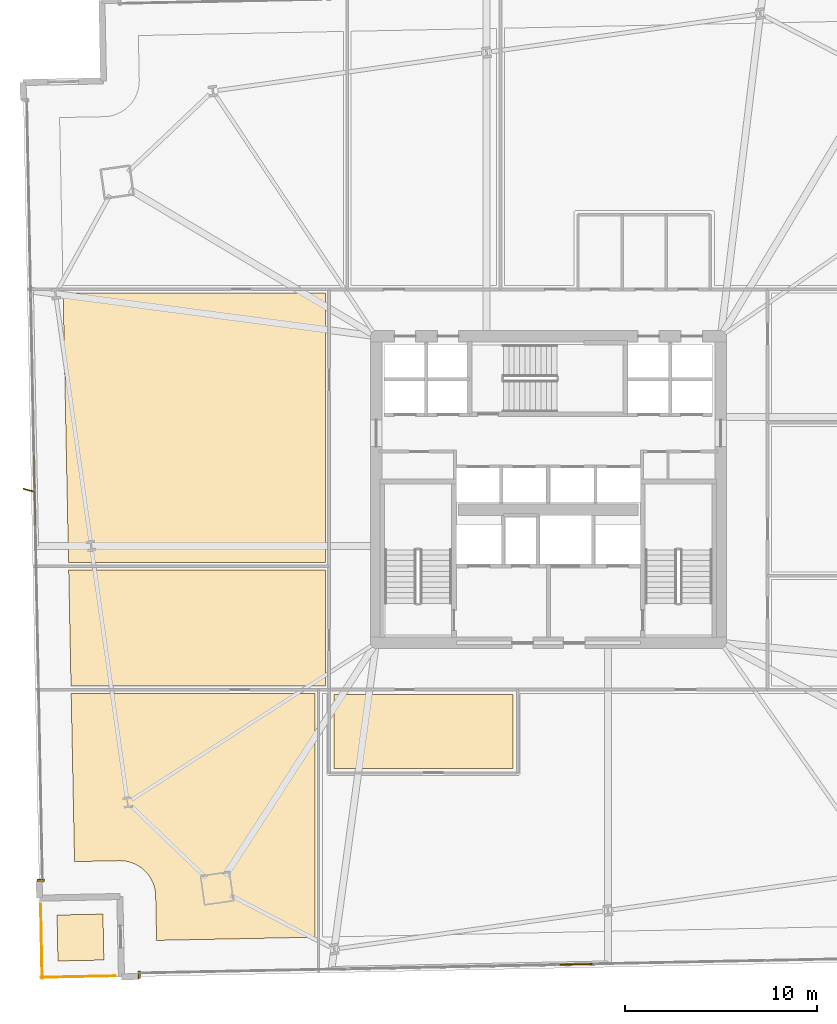
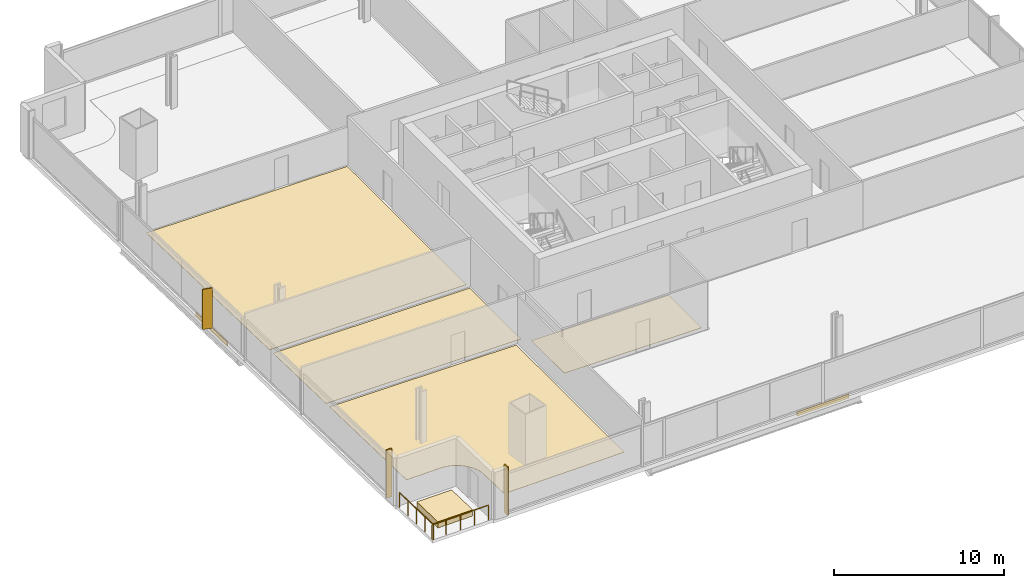
# One storey, part 31 of 35: 9 coverings, 2 railings, 1 shading device.
"""IFC4 building model written with IfcOpenShell, lengths in metres."""

from ifc_helpers import new_model, si_unit, direction, frame, origin, origin_2d, place, context, subcontext, project, spatial, polyline, rectangle, outline, extrude, source, transform, mapped, material, layer, layer_set, type_object, element, save


model = new_model("IFC4")

# Units and contexts
model_context = context("Model", 3, precision=1e-05, world=origin(), true_north=direction((0.0, 1.0)))
body_context = subcontext(model_context, "Body", "Model", "MODEL_VIEW")
ifc_project = project(units=[si_unit("LENGTHUNIT", "METRE"), si_unit("AREAUNIT", "SQUARE_METRE"), si_unit("VOLUMEUNIT", "CUBIC_METRE"), si_unit("PLANEANGLEUNIT", "RADIAN"), si_unit("MASSUNIT", "GRAM", prefix="KILO")], contexts=[model_context])

# Site, building, storey
site_placement = place(None, origin())
site = spatial("IfcSite", under=ifc_project, at=site_placement, CompositionType="ELEMENT")
building_placement = place(site_placement, origin())
building = spatial("IfcBuilding", under=site, at=building_placement, Name="Haldenkirk Collegiate Tower", CompositionType="ELEMENT")
storey_placement = place(building_placement, frame((0.0, 0.0, 32.699951171875)))
storey = spatial("IfcBuildingStorey", under=building, at=storey_placement, Name="L06", CompositionType="ELEMENT", Elevation=32.699951171875)

# Coverings
ifc_material_1 = material(Name="Polished collegiate terrazzo", Category="concrete")
ifc_layer_1 = layer(ifc_material_1, 0.02490234375)
ifc_layer_set_1 = layer_set([ifc_layer_1], Name="Polished collegiate terrazzo")
covering_type_1 = type_object("IfcCoveringType", Name="COV-FLOOR-TERRAZZO", PredefinedType="FLOORING", material=ifc_layer_set_1)
covering_1_placement = place(storey_placement, origin())
element("IfcCovering", 1, at=covering_1_placement, inside=storey, type_object=covering_type_1, Name="L06 academic room finish 02", PredefinedType="FLOORING", context=body_context, shape_type="SweptSolid", body=[
    extrude(outline(polyline([(15.255859375, 5.65576171875), (15.250244140625, 5.666015625), (15.158935546875, 5.8115234375), (15.152099609375, 5.8212890625), (15.047119140625, 5.95703125), (15.03955078125, 5.966064453125), (14.921630859375, 6.0908203125), (14.9130859375, 6.09912109375), (14.78369140625, 6.2119140625), (14.7744140625, 6.21923828125), (14.63427734375, 6.318603515625), (14.62451171875, 6.324951171875), (14.475341796875, 6.410400390625), (14.46484375, 6.415771484375), (14.30810546875, 6.486083984375), (14.29736328125, 6.490234375), (14.134521484375, 6.544921875), (14.123046875, 6.548095703125), (13.955810546875, 6.58642578125), (13.944091796875, 6.58837890625), (13.773681640625, 6.6103515625), (13.761962890625, 6.611328125), (13.59033203125, 6.6162109375), (13.58447265625, 6.6162109375), (11.2548828125, 6.569580078125), (11.07861328125, 15.35009765625), (23.800048828125, 15.35009765625), (23.800048828125, 2.620361328125), (15.538330078125, 2.45458984375), (15.49169921875, 4.7841796875), (15.4912109375, 4.789794921875), (15.4794921875, 4.961181640625), (15.47802734375, 4.97314453125), (15.449462890625, 5.142333984375), (15.447021484375, 5.15380859375), (15.40185546875, 5.319580078125), (15.398193359375, 5.330810546875), (15.337158203125, 5.4912109375), (15.33251953125, 5.501953125), (15.255859375, 5.65576171875)])), origin(), (0.0, 0.0, 1.0), 0.025146484375),
])
covering_2_placement = place(storey_placement, origin())
element("IfcCovering", 2, at=covering_2_placement, inside=storey, type_object=covering_type_1, Name="L06 academic room finish 08", PredefinedType="FLOORING", context=body_context, shape_type="SweptSolid", body=[
    extrude(outline(polyline([(10.6591796875, 36.25), (24.35009765625, 36.25), (24.35009765625, 22.199951171875), (10.941162109375, 22.199951171875), (10.6591796875, 36.25)])), origin(), (0.0, 0.0, 1.0), 0.025146484375),
])
ifc_material_2 = material(Name="Engineered collegiate oak acoustic flooring", Category="wood")
ifc_layer_2 = layer(ifc_material_2, 0.02197265625)
ifc_layer_set_2 = layer_set([ifc_layer_2], Name="Engineered collegiate oak acoustic flooring")
covering_type_2 = type_object("IfcCoveringType", Name="COV-FLOOR-TIMBER", PredefinedType="FLOORING", material=ifc_layer_set_2)
covering_3_placement = place(storey_placement, origin())
element("IfcCovering", 3, at=covering_3_placement, inside=storey, type_object=covering_type_2, Name="L06 academic room finish 01", PredefinedType="FLOORING", context=body_context, shape_type="SweptSolid", body=[
    extrude(outline(polyline([(24.800048828125, 11.419921875), (24.800048828125, 15.300048828125), (34.159912109375, 15.300048828125), (34.159912109375, 11.419921875), (24.800048828125, 11.419921875)])), origin(), (0.0, 0.0, 1.0), 0.02197265625),
])
covering_4_placement = place(storey_placement, origin())
element("IfcCovering", 4, at=covering_4_placement, inside=storey, type_object=covering_type_2, Name="L06 academic room finish 07", PredefinedType="FLOORING", context=body_context, shape_type="SweptSolid", body=[
    extrude(outline(polyline([(10.94921875, 21.800048828125), (24.35009765625, 21.800048828125), (24.35009765625, 15.75), (11.07080078125, 15.75), (10.94921875, 21.800048828125)])), origin(), (0.0, 0.0, 1.0), 0.02197265625),
])
ifc_material_3 = material(Name="Precast concrete f'c 40 MPa", Category="concrete")
ifc_layer_3 = layer(ifc_material_3, 0.449951171875)
ifc_layer_set_3 = layer_set([ifc_layer_3], Name="Precast concrete f'c 40 MPa")
covering_type_3 = type_object("IfcCoveringType", Name="COV-PLANTER-450", PredefinedType="USERDEFINED", material=ifc_layer_set_3)
covering_5_placement = place(storey_placement, origin())
element("IfcCovering", 5, at=covering_5_placement, inside=storey, type_object=covering_type_3, Name="L06 planted garden planter bed", ObjectType="PLANTER", PredefinedType="USERDEFINED", context=body_context, shape_type="SweptSolid", body=[
    extrude(outline(polyline([(10.388916015625, 1.381103515625), (10.3408203125, 3.780517578125), (12.740234375, 3.82861328125), (12.788330078125, 1.42919921875), (10.388916015625, 1.381103515625)])), origin(), (0.0, 0.0, 1.0), 0.449951171875),
])

# Railings
ifc_material_4 = material(Name="Anodised architectural bronze aluminium", Category="aluminium")
railing_type = type_object("IfcRailingType", Name="RLG-TERR-BALUSTRADE-1100", PredefinedType="BALUSTRADE", material=ifc_material_4)
railing_1_placement = place(storey_placement, frame((9.506103515625, 0.523193359375, 0.0)))
element("IfcRailing", 6, at=railing_1_placement, inside=storey, type_object=railing_type, Name="L06 terrace guard balustrade 1-1", PredefinedType="BALUSTRADE", context=body_context, shape_type="SweptSolid", body=[
    extrude(rectangle(XDim=0.048095703125, YDim=0.048095703125, at=origin_2d()), frame((0.0, 0.0, 1.076171875), z_axis=(0.999798522305, 0.020072737656, 0.0), x_axis=(-0.020072737656, 0.999798522305, 0.0)), (0.0, 0.0, 1.0), 3.8798828125),
    extrude(rectangle(XDim=0.0419921875, YDim=0.0419921875, at=origin_2d()), origin(), (0.0, 0.0, 1.0), 1.052001953125),
    extrude(rectangle(XDim=0.0419921875, YDim=0.0419921875, at=origin_2d()), frame((0.9697265625, 0.01953125, 0.0)), (0.0, 0.0, 1.0), 1.052001953125),
    extrude(rectangle(XDim=0.0419921875, YDim=0.0419921875, at=origin_2d()), frame((1.939453125, 0.0390625, 0.0)), (0.0, 0.0, 1.0), 1.052001953125),
    extrude(rectangle(XDim=0.0419921875, YDim=0.0419921875, at=origin_2d()), frame((2.909423828125, 0.058349609375, 0.0)), (0.0, 0.0, 1.0), 1.052001953125),
    extrude(rectangle(XDim=0.0419921875, YDim=0.0419921875, at=origin_2d()), frame((3.879150390625, 0.077880859375, 0.0)), (0.0, 0.0, 1.0), 1.052001953125),
])
railing_2_placement = place(storey_placement, frame((9.4892578125, 4.343505859375, 0.0)))
element("IfcRailing", 7, at=railing_2_placement, inside=storey, type_object=railing_type, Name="L06 terrace guard balustrade 4-1", PredefinedType="BALUSTRADE", context=body_context, shape_type="SweptSolid", body=[
    extrude(rectangle(XDim=0.048095703125, YDim=0.048095703125, at=origin_2d()), frame((0.0, 0.0, 1.076171875), z_axis=(0.020072737656, -0.999798522305, 0.0), x_axis=(0.999798522305, 0.020072737656, 0.0)), (0.0, 0.0, 1.0), 3.8798828125),
    extrude(rectangle(XDim=0.0419921875, YDim=0.0419921875, at=origin_2d()), origin(), (0.0, 0.0, 1.0), 1.052001953125),
    extrude(rectangle(XDim=0.0419921875, YDim=0.0419921875, at=origin_2d()), frame((0.01953125, -0.9697265625, 0.0)), (0.0, 0.0, 1.0), 1.052001953125),
    extrude(rectangle(XDim=0.0419921875, YDim=0.0419921875, at=origin_2d()), frame((0.0390625, -1.939453125, 0.0)), (0.0, 0.0, 1.0), 1.052001953125),
    extrude(rectangle(XDim=0.0419921875, YDim=0.0419921875, at=origin_2d()), frame((0.058349609375, -2.909423828125, 0.0)), (0.0, 0.0, 1.0), 1.052001953125),
    extrude(rectangle(XDim=0.0419921875, YDim=0.0419921875, at=origin_2d()), frame((0.077880859375, -3.879150390625, 0.0)), (0.0, 0.0, 1.0), 1.052001953125),
])

# Coverings
ifc_layer_4 = layer(ifc_material_4, 0.06005859375)
ifc_layer_set_4 = layer_set([ifc_layer_4], Name="Anodised architectural bronze aluminium")
covering_type_4 = type_object("IfcCoveringType", Name="COV-CLAD-BRONZE-60", PredefinedType="CLADDING", material=ifc_layer_set_4)
shared_shape_1 = source(origin(), body_context, "Body", "SweptSolid", [
    extrude(rectangle(XDim=3.60009765625, YDim=0.06005859375, at=origin_2d()), origin(), (0.0, 0.0, 1.0), 0.300048828125),
])
for number, where, z_axis, x_axis, name in (
    (8, (36.498046875, 1.18505859375, -0.2998046875), (0.0, 0.0, 1.0), (-0.999798578493, -0.020069938784, 0.0), "L06 architectural bronze spandrel cladding S"),
    (9, (9.17529296875, 25.961669921875, -0.2998046875), (0.0, 0.0, 1.0), (-0.020069938784, 0.999798578493, 0.0), "L06 architectural bronze spandrel cladding W"),
):
    element("IfcCovering", number, at=place(storey_placement, frame(where, z_axis=z_axis, x_axis=x_axis)), inside=storey, type_object=covering_type_4, Name=name, PredefinedType="CLADDING", context=body_context, shape_type="MappedRepresentation", body=[
        mapped(shared_shape_1, transform((0.0, 0.0, 0.0), x_axis=(1.0, 0.0, 0.0), y_axis=(0.0, 1.0, 0.0), z_axis=(0.0, 0.0, 1.0), scale=1.0)),
    ])
shared_shape_2 = source(origin(), body_context, "Body", "SweptSolid", [
    extrude(rectangle(XDim=0.10009765625, YDim=0.3798828125, at=origin_2d()), origin(), (0.0, 0.0, 1.0), 3.43994140625),
])
for number, where, z_axis, x_axis, name in (
    (10, (14.63427734375, 0.656005859375, 0.0), (0.0, 0.0, 1.0), (-0.999798578493, -0.020069938784, 0.0), "L06 recessed curtain-wall bronze jamb closure SJR"),
    (11, (9.494140625, 5.593994140625, 0.0), (0.0, 0.0, 1.0), (-0.020069938784, 0.999798578493, 0.0), "L06 recessed curtain-wall bronze jamb closure WJL"),
):
    element("IfcCovering", number, at=place(storey_placement, frame(where, z_axis=z_axis, x_axis=x_axis)), inside=storey, type_object=covering_type_4, Name=name, PredefinedType="CLADDING", context=body_context, shape_type="MappedRepresentation", body=[
        mapped(shared_shape_2, transform((0.0, 0.0, 0.0), x_axis=(1.0, 0.0, 0.0), y_axis=(0.0, 1.0, 0.0), z_axis=(0.0, 0.0, 1.0), scale=1.0)),
    ])

# Shading device
ifc_layer_5 = layer(ifc_material_4, 0.06494140625)
ifc_layer_set_5 = layer_set([ifc_layer_5], Name="Anodised architectural bronze aluminium")
shading_device_type = type_object("IfcShadingDeviceType", Name="SHD-FIN-BRONZE-620", PredefinedType="USERDEFINED", material=ifc_layer_set_5)
shared_shape_3 = source(origin(), body_context, "Body", "SweptSolid", [
    extrude(rectangle(XDim=0.6201171875, YDim=0.06494140625, at=origin_2d()), origin(), (0.0, 0.0, 1.0), 2.89111328125),
])
shading_device_placement = place(storey_placement, frame((8.880615234375, 25.955810546875, 0.0), z_axis=(0.0, 0.0, 1.0), x_axis=(-0.966600102017, 0.256289373133, 0.0)))
element("IfcShadingDevice", 12, at=shading_device_placement, inside=storey, type_object=shading_device_type, Name="L06 folded bronze solar fin 1", ObjectType="FIN", PredefinedType="USERDEFINED", context=body_context, shape_type="MappedRepresentation", body=[
    mapped(shared_shape_3, transform((0.0, 0.0, 0.0), x_axis=(1.0, 0.0, 0.0), y_axis=(0.0, 1.0, 0.0), z_axis=(0.0, 0.0, 1.0), scale=1.0)),
])

save(model, "model.ifc")
